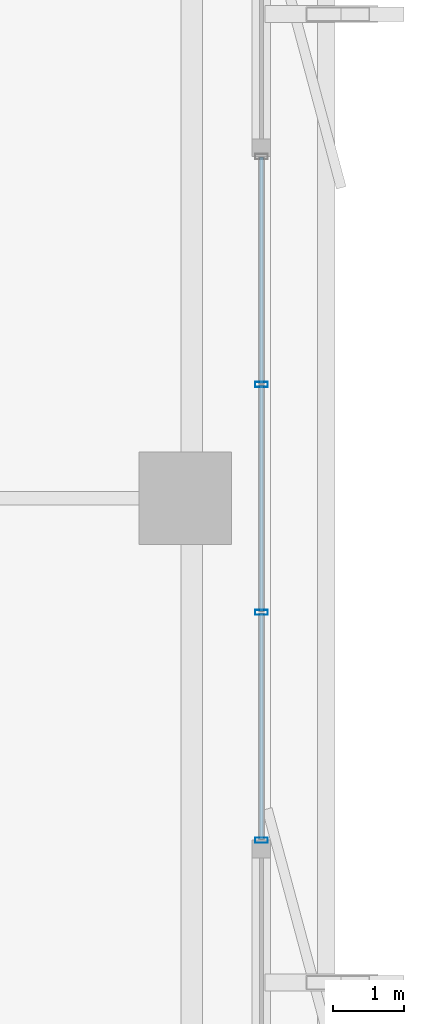
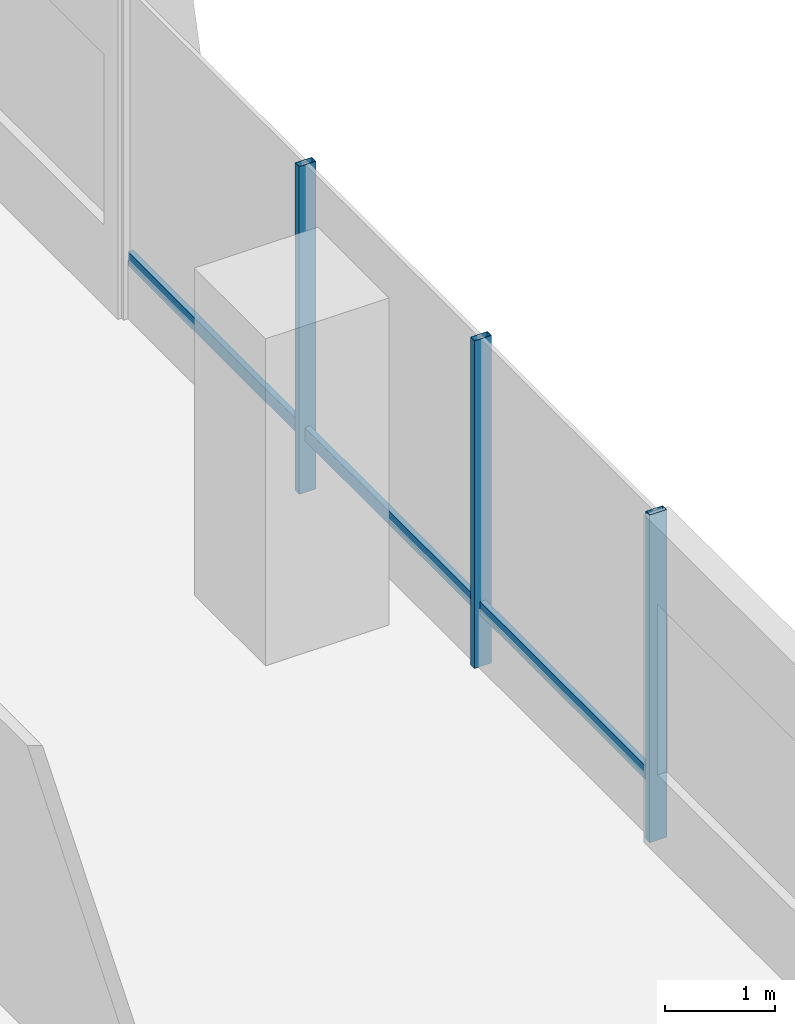
# One storey, part 16 of 34: 6 members, 1 element without a shape of its own.
"""IFC4 building model written with IfcOpenShell, lengths in metres."""

from ifc_helpers import new_model, si_unit, direction, frame, origin, origin_2d, place, context, subcontext, project, spatial, hollow_rectangle, extrude, material, layer, layer_set, material_profile, profile_set, type_object, element, aggregate, save


model = new_model("IFC4")

# Units and contexts
model_context = context("Model", 3, precision=1e-05, world=origin(), true_north=direction((0.0, 1.0)))
body_context = subcontext(model_context, "Body", "Model", "MODEL_VIEW")
ifc_project = project(units=[si_unit("LENGTHUNIT", "METRE"), si_unit("AREAUNIT", "SQUARE_METRE"), si_unit("VOLUMEUNIT", "CUBIC_METRE"), si_unit("PLANEANGLEUNIT", "RADIAN"), si_unit("MASSUNIT", "GRAM", prefix="KILO")], contexts=[model_context])

# Site, building, storey
site_placement = place(None, origin())
site = spatial("IfcSite", under=ifc_project, at=site_placement, CompositionType="ELEMENT")
building_placement = place(site_placement, origin())
building = spatial("IfcBuilding", under=site, at=building_placement, Name="Belovzor Exchange Tower", CompositionType="ELEMENT")
storey_placement = place(building_placement, frame((0.0, 0.0, 113.39990234375)))
storey = spatial("IfcBuildingStorey", under=building, at=storey_placement, Name="L27", CompositionType="ELEMENT", Elevation=113.39990234375)

# Curtain wall, members
ifc_material_1 = material(Name="Anodised Aluminium Framing", Category="aluminium")
ifc_layer = layer(ifc_material_1, 0.179931640625)
ifc_layer_set = layer_set([ifc_layer], Name="Anodised Aluminium Framing")
curtain_wall_type = type_object("IfcCurtainWallType", Name="Recessed Loggia Low-Iron Triple-Glazed Curtain Wall", PredefinedType="NOTDEFINED", material=ifc_layer_set)
curtain_wall_placement = place(storey_placement, origin())
curtain_wall = element("IfcCurtainWall", 1, at=curtain_wall_placement, inside=storey, type_object=curtain_wall_type, Name="CW3 Recessed Loggia Low-Iron Triple-Glazed Curtain Wall L27", PredefinedType="NOTDEFINED")
ifc_material_2 = material(Name="Steel S355", Category="steel")
ifc_material_profile_1 = material_profile(ifc_material_2, hollow_rectangle(XDim=0.074951171875, YDim=0.179931640625, WallThickness=0.0048828125, at=origin_2d()))
ifc_profile_set_1 = profile_set([ifc_material_profile_1], Name="Steel S355")
member_type_1 = type_object("IfcMemberType", Name="Thermally Broken Curtain Wall Mullion 180x75", PredefinedType="MULLION", material=ifc_profile_set_1)
member_1_placement = place(storey_placement, frame((54.77001953125, 30.39990234375, 0.0), z_axis=(0.0, 0.0, 1.0), x_axis=(0.0, -1.0, 0.0)))
member_1 = element("IfcMember", 2, at=member_1_placement, type_object=member_type_1, Name="CW-M180 Curtain Wall Mullion 2", PredefinedType="MULLION", context=body_context, shape_type="SweptSolid", body=[
    extrude(hollow_rectangle(XDim=0.074951171875, YDim=0.179931640625, WallThickness=0.0048828125, at=origin_2d()), origin(), (0.0, 0.0, 1.0), 3.650146484375),
])
member_2_placement = place(storey_placement, frame((54.77001953125, 27.199951171875, 0.0), z_axis=(0.0, 0.0, 1.0), x_axis=(0.0, -1.0, 0.0)))
member_2 = element("IfcMember", 3, at=member_2_placement, type_object=member_type_1, Name="CW-M180 Curtain Wall Mullion 3", PredefinedType="MULLION", context=body_context, shape_type="SweptSolid", body=[
    extrude(hollow_rectangle(XDim=0.074951171875, YDim=0.179931640625, WallThickness=0.0048828125, at=origin_2d()), origin(), (0.0, 0.0, 1.0), 3.650146484375),
])
member_3_placement = place(storey_placement, frame((54.77001953125, 24.0, 0.0), z_axis=(0.0, 0.0, 1.0), x_axis=(0.0, -1.0, 0.0)))
member_3 = element("IfcMember", 4, at=member_3_placement, type_object=member_type_1, Name="CW-M180 Curtain Wall Mullion 4", PredefinedType="MULLION", context=body_context, shape_type="SweptSolid", body=[
    extrude(hollow_rectangle(XDim=0.074951171875, YDim=0.179931640625, WallThickness=0.0048828125, at=origin_2d()), origin(), (0.0, 0.0, 1.0), 3.650146484375),
])
ifc_material_3 = material(Name="Steel S355", Category="steel")
ifc_material_profile_2 = material_profile(ifc_material_3, hollow_rectangle(XDim=0.06005859375, YDim=0.14990234375, WallThickness=0.00390625, at=origin_2d()))
ifc_profile_set_2 = profile_set([ifc_material_profile_2], Name="Steel S355")
member_type_2 = type_object("IfcMemberType", Name="Thermally Broken Curtain Wall Transom 150x60", PredefinedType="USERDEFINED", material=ifc_profile_set_2)
member_4_placement = place(storey_placement, frame((54.77001953125, 33.592041015625, 0.650146484375), z_axis=(0.0, -1.0, 0.0), x_axis=(1.0, 0.0, 0.0)))
member_4 = element("IfcMember", 5, at=member_4_placement, type_object=member_type_2, Name="CW-T150 Curtain Wall Transom 1", ObjectType="TRANSOM", PredefinedType="USERDEFINED", context=body_context, shape_type="SweptSolid", body=[
    extrude(hollow_rectangle(XDim=0.06005859375, YDim=0.14990234375, WallThickness=0.00390625, at=origin_2d()), origin(), (0.0, 0.0, 1.0), 3.18408203125),
])
member_5_placement = place(storey_placement, frame((54.77001953125, 30.39208984375, 0.650146484375), z_axis=(0.0, -1.0, 0.0), x_axis=(1.0, 0.0, 0.0)))
member_5 = element("IfcMember", 6, at=member_5_placement, type_object=member_type_2, Name="CW-T150 Curtain Wall Transom 2", ObjectType="TRANSOM", PredefinedType="USERDEFINED", context=body_context, shape_type="SweptSolid", body=[
    extrude(hollow_rectangle(XDim=0.06005859375, YDim=0.14990234375, WallThickness=0.00390625, at=origin_2d()), origin(), (0.0, 0.0, 1.0), 3.18408203125),
])
member_6_placement = place(storey_placement, frame((54.77001953125, 27.19189453125, 0.650146484375), z_axis=(0.0, -1.0, 0.0), x_axis=(1.0, 0.0, 0.0)))
member_6 = element("IfcMember", 7, at=member_6_placement, type_object=member_type_2, Name="CW-T150 Curtain Wall Transom 3", ObjectType="TRANSOM", PredefinedType="USERDEFINED", context=body_context, shape_type="SweptSolid", body=[
    extrude(hollow_rectangle(XDim=0.06005859375, YDim=0.14990234375, WallThickness=0.00390625, at=origin_2d()), origin(), (0.0, 0.0, 1.0), 3.183837890625),
])
aggregate(curtain_wall, [member_1, member_2, member_3, member_4, member_5, member_6])

save(model, "model.ifc")
